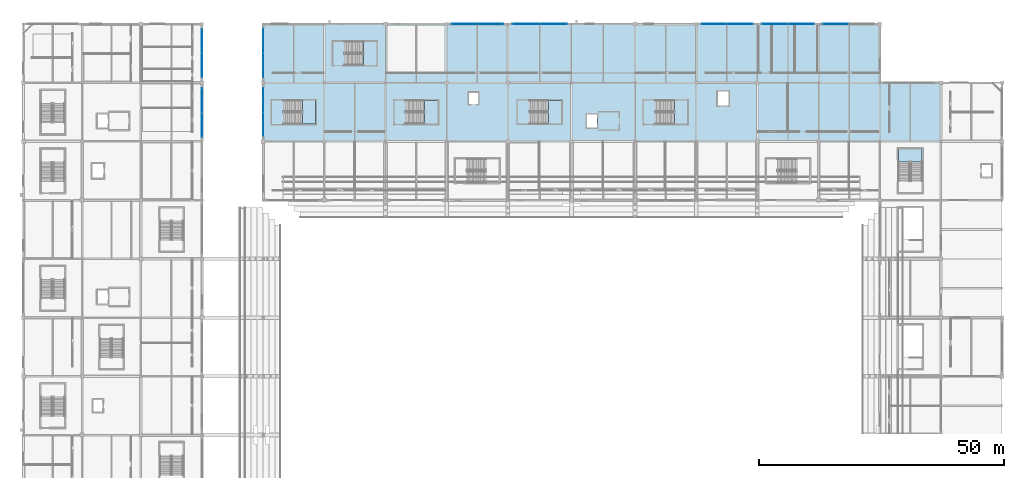
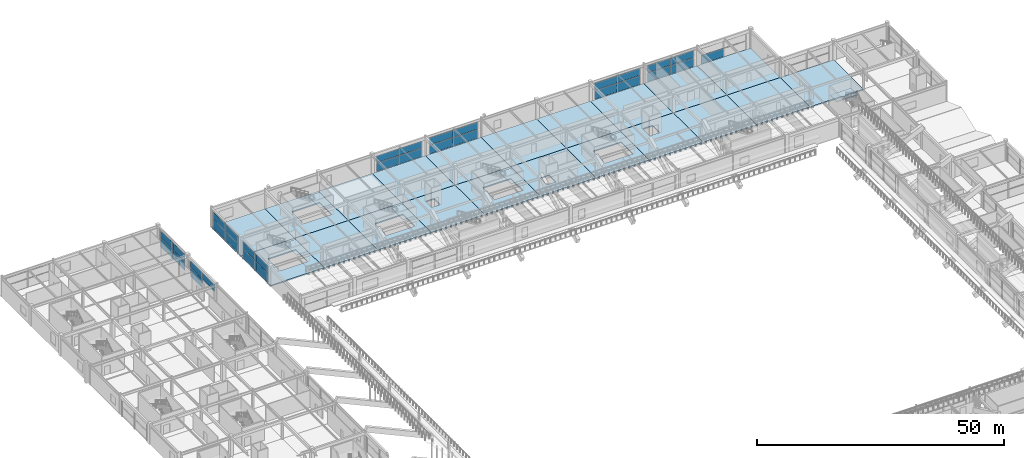
# One storey, part 74 of 128: 32 plates, 27 slabs, 15 elements without a shape of their own.
"""IFC4 building model written with IfcOpenShell, lengths in metres."""

from ifc_helpers import new_model, si_unit, direction, frame, origin, origin_2d, place, context, subcontext, project, spatial, polyline, rectangle, outline, extrude, material, layer, layer_set, type_object, element, aggregate, save


model = new_model("IFC4")

# Units and contexts
model_context = context("Model", 3, precision=1e-05, world=origin(), true_north=direction((0.0, 1.0)))
body_context = subcontext(model_context, "Body", "Model", "MODEL_VIEW")
ifc_project = project(units=[si_unit("LENGTHUNIT", "METRE"), si_unit("AREAUNIT", "SQUARE_METRE"), si_unit("VOLUMEUNIT", "CUBIC_METRE"), si_unit("PLANEANGLEUNIT", "RADIAN"), si_unit("MASSUNIT", "GRAM", prefix="KILO")], contexts=[model_context])

# Site, building, storey
site_placement = place(None, origin())
site = spatial("IfcSite", under=ifc_project, at=site_placement, CompositionType="ELEMENT")
building_placement = place(site_placement, origin())
building = spatial("IfcBuilding", under=site, at=building_placement, Name="Kazenohara Klinker Stadium", CompositionType="ELEMENT")
storey_placement = place(building_placement, frame((0.0, 0.0, 15.300048828125)))
storey = spatial("IfcBuildingStorey", under=building, at=storey_placement, Name="L03", CompositionType="ELEMENT", Elevation=15.300048828125)

# Curtain wall, plates
ifc_material_1 = material(Name="Anodised aluminium and triple glazing", Category="aluminium")
ifc_layer_1 = layer(ifc_material_1, 0.18994140625)
ifc_layer_set_1 = layer_set([ifc_layer_1], Name="Anodised aluminium and triple glazing")
curtain_wall_type_1 = type_object("IfcCurtainWallType", Name="CW-SYS-05", PredefinedType="USERDEFINED", material=ifc_layer_set_1)
curtain_wall_1_placement = place(storey_placement, origin())
curtain_wall_1 = element("IfcCurtainWall", 1, at=curtain_wall_1_placement, inside=storey, type_object=curtain_wall_type_1, Name="Unitised facade curtain wall CW05 L03 Y3-12", ObjectType="UNITISED CURTAIN WALL", PredefinedType="USERDEFINED")
ifc_material_2 = material(Name="Low-e laminated triple glazing", Category="glass")
ifc_layer_2 = layer(ifc_material_2, 0.0439453125)
ifc_layer_set_2 = layer_set([ifc_layer_2], Name="Low-e laminated triple glazing")
plate_type = type_object("IfcPlateType", Name="CW-PNL-44", PredefinedType="CURTAIN_PANEL", material=ifc_layer_set_2)
plate_1_placement = place(storey_placement, frame((36.5, 147.376953125, 2.2705078125), z_axis=(0.0, 0.0, 1.0), x_axis=(0.0, 1.0, 0.0)))
plate_1 = element("IfcPlate", 2, at=plate_1_placement, type_object=plate_type, Name="CW05 panel 1.2", PredefinedType="CURTAIN_PANEL", context=body_context, shape_type="SweptSolid", body=[
    extrude(rectangle(XDim=4.946044921875, YDim=0.0439453125, at=origin_2d()), origin(), (0.0, 0.0, 1.0), 1.714599609375),
])
plate_2_placement = place(storey_placement, frame((36.5, 152.39794921875, 0.074951171875), z_axis=(0.0, 0.0, 1.0), x_axis=(0.0, 1.0, 0.0)))
plate_2 = element("IfcPlate", 3, at=plate_2_placement, type_object=plate_type, Name="CW05 panel 2.1", PredefinedType="CURTAIN_PANEL", context=body_context, shape_type="SweptSolid", body=[
    extrude(rectangle(XDim=4.946044921875, YDim=0.0439453125, at=origin_2d()), origin(), (0.0, 0.0, 1.0), 2.12060546875),
])
plate_3_placement = place(storey_placement, frame((36.5, 152.39794921875, 2.2705078125), z_axis=(0.0, 0.0, 1.0), x_axis=(0.0, 1.0, 0.0)))
plate_3 = element("IfcPlate", 4, at=plate_3_placement, type_object=plate_type, Name="CW05 panel 2.2", PredefinedType="CURTAIN_PANEL", context=body_context, shape_type="SweptSolid", body=[
    extrude(rectangle(XDim=4.946044921875, YDim=0.0439453125, at=origin_2d()), origin(), (0.0, 0.0, 1.0), 1.714599609375),
])
aggregate(curtain_wall_1, [plate_1, plate_2, plate_3])

ifc_layer_3 = layer(ifc_material_1, 0.159912109375)
ifc_layer_set_3 = layer_set([ifc_layer_3], Name="Anodised aluminium and triple glazing")
curtain_wall_type_2 = type_object("IfcCurtainWallType", Name="CW-SYS-01", PredefinedType="USERDEFINED", material=ifc_layer_set_3)
curtain_wall_2_placement = place(storey_placement, origin())
curtain_wall_2 = element("IfcCurtainWall", 5, at=curtain_wall_2_placement, inside=storey, type_object=curtain_wall_type_2, Name="Unitised facade curtain wall CW01 L03 Y3-13", ObjectType="UNITISED CURTAIN WALL", PredefinedType="USERDEFINED")
plate_4_placement = place(storey_placement, frame((36.5, 159.558349609375, 0.07470703125), z_axis=(0.0, 0.0, 1.0), x_axis=(0.0, 1.0, 0.0)))
plate_4 = element("IfcPlate", 6, at=plate_4_placement, type_object=plate_type, Name="CW01 panel 1.1", PredefinedType="CURTAIN_PANEL", context=body_context, shape_type="SweptSolid", body=[
    extrude(rectangle(XDim=4.8583984375, YDim=0.0439453125, at=origin_2d()), origin(), (0.0, 0.0, 1.0), 2.175537109375),
])
plate_5_placement = place(storey_placement, frame((36.5, 159.558349609375, 2.32568359375), z_axis=(0.0, 0.0, 1.0), x_axis=(0.0, 1.0, 0.0)))
plate_5 = element("IfcPlate", 7, at=plate_5_placement, type_object=plate_type, Name="CW01 panel 1.2", PredefinedType="CURTAIN_PANEL", context=body_context, shape_type="SweptSolid", body=[
    extrude(rectangle(XDim=4.8583984375, YDim=0.0439453125, at=origin_2d()), origin(), (0.0, 0.0, 1.0), 1.759521484375),
])
plate_6_placement = place(storey_placement, frame((36.5, 164.49169921875, 0.07470703125), z_axis=(0.0, 0.0, 1.0), x_axis=(0.0, 1.0, 0.0)))
plate_6 = element("IfcPlate", 8, at=plate_6_placement, type_object=plate_type, Name="CW01 panel 2.1", PredefinedType="CURTAIN_PANEL", context=body_context, shape_type="SweptSolid", body=[
    extrude(rectangle(XDim=4.8583984375, YDim=0.0439453125, at=origin_2d()), origin(), (0.0, 0.0, 1.0), 2.175537109375),
])
plate_7_placement = place(storey_placement, frame((36.5, 164.49169921875, 2.32568359375), z_axis=(0.0, 0.0, 1.0), x_axis=(0.0, 1.0, 0.0)))
plate_7 = element("IfcPlate", 9, at=plate_7_placement, type_object=plate_type, Name="CW01 panel 2.2", PredefinedType="CURTAIN_PANEL", context=body_context, shape_type="SweptSolid", body=[
    extrude(rectangle(XDim=4.8583984375, YDim=0.0439453125, at=origin_2d()), origin(), (0.0, 0.0, 1.0), 1.759521484375),
])
aggregate(curtain_wall_2, [plate_4, plate_5, plate_6, plate_7])

curtain_wall_3_placement = place(storey_placement, origin())
curtain_wall_3 = element("IfcCurtainWall", 10, at=curtain_wall_3_placement, inside=storey, type_object=curtain_wall_type_1, Name="Unitised facade curtain wall CW05 L03 Y4-12", ObjectType="UNITISED CURTAIN WALL", PredefinedType="USERDEFINED")
plate_8_placement = place(storey_placement, frame((49.0, 147.558349609375, 0.07470703125), z_axis=(0.0, 0.0, 1.0), x_axis=(0.0, 1.0, 0.0)))
plate_8 = element("IfcPlate", 11, at=plate_8_placement, type_object=plate_type, Name="CW05 panel 1.1", PredefinedType="CURTAIN_PANEL", context=body_context, shape_type="SweptSolid", body=[
    extrude(rectangle(XDim=4.8583984375, YDim=0.0439453125, at=origin_2d()), origin(), (0.0, 0.0, 1.0), 2.175537109375),
])
plate_9_placement = place(storey_placement, frame((49.0, 147.558349609375, 2.32568359375), z_axis=(0.0, 0.0, 1.0), x_axis=(0.0, 1.0, 0.0)))
plate_9 = element("IfcPlate", 12, at=plate_9_placement, type_object=plate_type, Name="CW05 panel 1.2", PredefinedType="CURTAIN_PANEL", context=body_context, shape_type="SweptSolid", body=[
    extrude(rectangle(XDim=4.8583984375, YDim=0.0439453125, at=origin_2d()), origin(), (0.0, 0.0, 1.0), 1.759521484375),
])
plate_10_placement = place(storey_placement, frame((49.0, 152.49169921875, 0.07470703125), z_axis=(0.0, 0.0, 1.0), x_axis=(0.0, 1.0, 0.0)))
plate_10 = element("IfcPlate", 13, at=plate_10_placement, type_object=plate_type, Name="CW05 panel 2.1", PredefinedType="CURTAIN_PANEL", context=body_context, shape_type="SweptSolid", body=[
    extrude(rectangle(XDim=4.8583984375, YDim=0.0439453125, at=origin_2d()), origin(), (0.0, 0.0, 1.0), 2.175537109375),
])
plate_11_placement = place(storey_placement, frame((49.0, 152.49169921875, 2.32568359375), z_axis=(0.0, 0.0, 1.0), x_axis=(0.0, 1.0, 0.0)))
plate_11 = element("IfcPlate", 14, at=plate_11_placement, type_object=plate_type, Name="CW05 panel 2.2", PredefinedType="CURTAIN_PANEL", context=body_context, shape_type="SweptSolid", body=[
    extrude(rectangle(XDim=4.8583984375, YDim=0.0439453125, at=origin_2d()), origin(), (0.0, 0.0, 1.0), 1.759521484375),
])
aggregate(curtain_wall_3, [plate_8, plate_9, plate_10, plate_11])

curtain_wall_4_placement = place(storey_placement, origin())
curtain_wall_4 = element("IfcCurtainWall", 15, at=curtain_wall_4_placement, inside=storey, type_object=curtain_wall_type_2, Name="Unitised facade curtain wall CW01 L03 Y4-13", ObjectType="UNITISED CURTAIN WALL", PredefinedType="USERDEFINED")
plate_12_placement = place(storey_placement, frame((49.0, 159.558349609375, 0.074951171875), z_axis=(0.0, 0.0, 1.0), x_axis=(0.0, 1.0, 0.0)))
plate_12 = element("IfcPlate", 16, at=plate_12_placement, type_object=plate_type, Name="CW01 panel 1.1", PredefinedType="CURTAIN_PANEL", context=body_context, shape_type="SweptSolid", body=[
    extrude(rectangle(XDim=4.95849609375, YDim=0.0439453125, at=origin_2d()), origin(), (0.0, 0.0, 1.0), 2.18212890625),
])
plate_13_placement = place(storey_placement, frame((49.0, 159.558349609375, 2.33203125), z_axis=(0.0, 0.0, 1.0), x_axis=(0.0, 1.0, 0.0)))
plate_13 = element("IfcPlate", 17, at=plate_13_placement, type_object=plate_type, Name="CW01 panel 1.2", PredefinedType="CURTAIN_PANEL", context=body_context, shape_type="SweptSolid", body=[
    extrude(rectangle(XDim=4.95849609375, YDim=0.0439453125, at=origin_2d()), origin(), (0.0, 0.0, 1.0), 1.764892578125),
])
plate_14_placement = place(storey_placement, frame((49.0, 164.591796875, 0.074951171875), z_axis=(0.0, 0.0, 1.0), x_axis=(0.0, 1.0, 0.0)))
plate_14 = element("IfcPlate", 18, at=plate_14_placement, type_object=plate_type, Name="CW01 panel 2.1", PredefinedType="CURTAIN_PANEL", context=body_context, shape_type="SweptSolid", body=[
    extrude(rectangle(XDim=4.95849609375, YDim=0.0439453125, at=origin_2d()), origin(), (0.0, 0.0, 1.0), 2.18212890625),
])
plate_15_placement = place(storey_placement, frame((49.0, 164.591796875, 2.33203125), z_axis=(0.0, 0.0, 1.0), x_axis=(0.0, 1.0, 0.0)))
plate_15 = element("IfcPlate", 19, at=plate_15_placement, type_object=plate_type, Name="CW01 panel 2.2", PredefinedType="CURTAIN_PANEL", context=body_context, shape_type="SweptSolid", body=[
    extrude(rectangle(XDim=4.95849609375, YDim=0.0439453125, at=origin_2d()), origin(), (0.0, 0.0, 1.0), 1.764892578125),
])
aggregate(curtain_wall_4, [plate_12, plate_13, plate_14, plate_15])

ifc_layer_4 = layer(ifc_material_1, 0.179931640625)
ifc_layer_set_4 = layer_set([ifc_layer_4], Name="Anodised aluminium and triple glazing")
curtain_wall_type_3 = type_object("IfcCurtainWallType", Name="CW-SYS-02", PredefinedType="USERDEFINED", material=ifc_layer_set_4)
curtain_wall_5_placement = place(storey_placement, origin())
curtain_wall_5 = element("IfcCurtainWall", 20, at=curtain_wall_5_placement, inside=storey, type_object=curtain_wall_type_3, Name="Unitised facade curtain wall CW02 L03 X7-14", ObjectType="UNITISED CURTAIN WALL", PredefinedType="USERDEFINED")
plate_16_placement = place(storey_placement, frame((90.183349609375, 168.0, 0.074951171875), z_axis=(0.0, 0.0, 1.0), x_axis=(1.0, 0.0, 0.0)))
plate_16 = element("IfcPlate", 21, at=plate_16_placement, type_object=plate_type, Name="CW02 panel 1.1", PredefinedType="CURTAIN_PANEL", context=body_context, shape_type="SweptSolid", body=[
    extrude(rectangle(XDim=5.20849609375, YDim=0.0439453125, at=origin_2d()), origin(), (0.0, 0.0, 1.0), 2.12060546875),
])
plate_17_placement = place(storey_placement, frame((90.183349609375, 168.0, 2.2705078125), z_axis=(0.0, 0.0, 1.0), x_axis=(1.0, 0.0, 0.0)))
plate_17 = element("IfcPlate", 22, at=plate_17_placement, type_object=plate_type, Name="CW02 panel 1.2", PredefinedType="CURTAIN_PANEL", context=body_context, shape_type="SweptSolid", body=[
    extrude(rectangle(XDim=5.20849609375, YDim=0.0439453125, at=origin_2d()), origin(), (0.0, 0.0, 1.0), 1.714599609375),
])
plate_18_placement = place(storey_placement, frame((95.466796875, 168.0, 0.074951171875), z_axis=(0.0, 0.0, 1.0), x_axis=(1.0, 0.0, 0.0)))
plate_18 = element("IfcPlate", 23, at=plate_18_placement, type_object=plate_type, Name="CW02 panel 2.1", PredefinedType="CURTAIN_PANEL", context=body_context, shape_type="SweptSolid", body=[
    extrude(rectangle(XDim=5.20849609375, YDim=0.0439453125, at=origin_2d()), origin(), (0.0, 0.0, 1.0), 2.12060546875),
])
plate_19_placement = place(storey_placement, frame((95.466796875, 168.0, 2.2705078125), z_axis=(0.0, 0.0, 1.0), x_axis=(1.0, 0.0, 0.0)))
plate_19 = element("IfcPlate", 24, at=plate_19_placement, type_object=plate_type, Name="CW02 panel 2.2", PredefinedType="CURTAIN_PANEL", context=body_context, shape_type="SweptSolid", body=[
    extrude(rectangle(XDim=5.20849609375, YDim=0.0439453125, at=origin_2d()), origin(), (0.0, 0.0, 1.0), 1.714599609375),
])
aggregate(curtain_wall_5, [plate_16, plate_17, plate_18, plate_19])

ifc_layer_5 = layer(ifc_material_1, 0.169921875)
ifc_layer_set_5 = layer_set([ifc_layer_5], Name="Anodised aluminium and triple glazing")
curtain_wall_type_4 = type_object("IfcCurtainWallType", Name="CW-SYS-04", PredefinedType="USERDEFINED", material=ifc_layer_set_5)
curtain_wall_6_placement = place(storey_placement, origin())
curtain_wall_6 = element("IfcCurtainWall", 25, at=curtain_wall_6_placement, inside=storey, type_object=curtain_wall_type_4, Name="Unitised facade curtain wall CW04 L03 X8-14", ObjectType="UNITISED CURTAIN WALL", PredefinedType="USERDEFINED")
plate_20_placement = place(storey_placement, frame((102.701904296875, 168.0, 0.07470703125), z_axis=(0.0, 0.0, 1.0), x_axis=(1.0, 0.0, 0.0)))
plate_20 = element("IfcPlate", 26, at=plate_20_placement, type_object=plate_type, Name="CW04 panel 1.1", PredefinedType="CURTAIN_PANEL", context=body_context, shape_type="SweptSolid", body=[
    extrude(rectangle(XDim=5.5458984375, YDim=0.0439453125, at=origin_2d()), origin(), (0.0, 0.0, 1.0), 2.175537109375),
])
plate_21_placement = place(storey_placement, frame((102.701904296875, 168.0, 2.32568359375), z_axis=(0.0, 0.0, 1.0), x_axis=(1.0, 0.0, 0.0)))
plate_21 = element("IfcPlate", 27, at=plate_21_placement, type_object=plate_type, Name="CW04 panel 1.2", PredefinedType="CURTAIN_PANEL", context=body_context, shape_type="SweptSolid", body=[
    extrude(rectangle(XDim=5.5458984375, YDim=0.0439453125, at=origin_2d()), origin(), (0.0, 0.0, 1.0), 1.759521484375),
])
plate_22_placement = place(storey_placement, frame((108.322998046875, 168.0, 0.07470703125), z_axis=(0.0, 0.0, 1.0), x_axis=(1.0, 0.0, 0.0)))
plate_22 = element("IfcPlate", 28, at=plate_22_placement, type_object=plate_type, Name="CW04 panel 2.1", PredefinedType="CURTAIN_PANEL", context=body_context, shape_type="SweptSolid", body=[
    extrude(rectangle(XDim=5.5458984375, YDim=0.0439453125, at=origin_2d()), origin(), (0.0, 0.0, 1.0), 2.175537109375),
])
plate_23_placement = place(storey_placement, frame((108.322998046875, 168.0, 2.32568359375), z_axis=(0.0, 0.0, 1.0), x_axis=(1.0, 0.0, 0.0)))
plate_23 = element("IfcPlate", 29, at=plate_23_placement, type_object=plate_type, Name="CW04 panel 2.2", PredefinedType="CURTAIN_PANEL", context=body_context, shape_type="SweptSolid", body=[
    extrude(rectangle(XDim=5.5458984375, YDim=0.0439453125, at=origin_2d()), origin(), (0.0, 0.0, 1.0), 1.759521484375),
])
aggregate(curtain_wall_6, [plate_20, plate_21, plate_22, plate_23])

curtain_wall_7_placement = place(storey_placement, origin())
curtain_wall_7 = element("IfcCurtainWall", 30, at=curtain_wall_7_placement, inside=storey, type_object=curtain_wall_type_1, Name="Unitised facade curtain wall CW05 L03 X11-14", ObjectType="UNITISED CURTAIN WALL", PredefinedType="USERDEFINED")
plate_24_placement = place(storey_placement, frame((141.183349609375, 168.0, 0.07470703125), z_axis=(0.0, 0.0, 1.0), x_axis=(1.0, 0.0, 0.0)))
plate_24 = element("IfcPlate", 31, at=plate_24_placement, type_object=plate_type, Name="CW05 panel 1.1", PredefinedType="CURTAIN_PANEL", context=body_context, shape_type="SweptSolid", body=[
    extrude(rectangle(XDim=5.20849609375, YDim=0.0439453125, at=origin_2d()), origin(), (0.0, 0.0, 1.0), 2.175537109375),
])
plate_25_placement = place(storey_placement, frame((141.183349609375, 168.0, 2.32568359375), z_axis=(0.0, 0.0, 1.0), x_axis=(1.0, 0.0, 0.0)))
plate_25 = element("IfcPlate", 32, at=plate_25_placement, type_object=plate_type, Name="CW05 panel 1.2", PredefinedType="CURTAIN_PANEL", context=body_context, shape_type="SweptSolid", body=[
    extrude(rectangle(XDim=5.20849609375, YDim=0.0439453125, at=origin_2d()), origin(), (0.0, 0.0, 1.0), 1.759521484375),
])
plate_26_placement = place(storey_placement, frame((146.466796875, 168.0, 0.07470703125), z_axis=(0.0, 0.0, 1.0), x_axis=(1.0, 0.0, 0.0)))
plate_26 = element("IfcPlate", 33, at=plate_26_placement, type_object=plate_type, Name="CW05 panel 2.1", PredefinedType="CURTAIN_PANEL", context=body_context, shape_type="SweptSolid", body=[
    extrude(rectangle(XDim=5.20849609375, YDim=0.0439453125, at=origin_2d()), origin(), (0.0, 0.0, 1.0), 2.175537109375),
])
plate_27_placement = place(storey_placement, frame((146.466796875, 168.0, 2.32568359375), z_axis=(0.0, 0.0, 1.0), x_axis=(1.0, 0.0, 0.0)))
plate_27 = element("IfcPlate", 34, at=plate_27_placement, type_object=plate_type, Name="CW05 panel 2.2", PredefinedType="CURTAIN_PANEL", context=body_context, shape_type="SweptSolid", body=[
    extrude(rectangle(XDim=5.20849609375, YDim=0.0439453125, at=origin_2d()), origin(), (0.0, 0.0, 1.0), 1.759521484375),
])
aggregate(curtain_wall_7, [plate_24, plate_25, plate_26, plate_27])

curtain_wall_8_placement = place(storey_placement, origin())
curtain_wall_8 = element("IfcCurtainWall", 35, at=curtain_wall_8_placement, inside=storey, type_object=curtain_wall_type_3, Name="Unitised facade curtain wall CW02 L03 X12-14", ObjectType="UNITISED CURTAIN WALL", PredefinedType="USERDEFINED")
plate_28_placement = place(storey_placement, frame((153.576904296875, 168.0, 0.074951171875), z_axis=(0.0, 0.0, 1.0), x_axis=(1.0, 0.0, 0.0)))
plate_28 = element("IfcPlate", 36, at=plate_28_placement, type_object=plate_type, Name="CW02 panel 1.1", PredefinedType="CURTAIN_PANEL", context=body_context, shape_type="SweptSolid", body=[
    extrude(rectangle(XDim=5.2958984375, YDim=0.0439453125, at=origin_2d()), origin(), (0.0, 0.0, 1.0), 2.18212890625),
])
plate_29_placement = place(storey_placement, frame((153.576904296875, 168.0, 2.33203125), z_axis=(0.0, 0.0, 1.0), x_axis=(1.0, 0.0, 0.0)))
plate_29 = element("IfcPlate", 37, at=plate_29_placement, type_object=plate_type, Name="CW02 panel 1.2", PredefinedType="CURTAIN_PANEL", context=body_context, shape_type="SweptSolid", body=[
    extrude(rectangle(XDim=5.2958984375, YDim=0.0439453125, at=origin_2d()), origin(), (0.0, 0.0, 1.0), 1.764892578125),
])
plate_30_placement = place(storey_placement, frame((158.947998046875, 168.0, 0.074951171875), z_axis=(0.0, 0.0, 1.0), x_axis=(1.0, 0.0, 0.0)))
plate_30 = element("IfcPlate", 38, at=plate_30_placement, type_object=plate_type, Name="CW02 panel 2.1", PredefinedType="CURTAIN_PANEL", context=body_context, shape_type="SweptSolid", body=[
    extrude(rectangle(XDim=5.2958984375, YDim=0.0439453125, at=origin_2d()), origin(), (0.0, 0.0, 1.0), 2.18212890625),
])
plate_31_placement = place(storey_placement, frame((158.947998046875, 168.0, 2.33203125), z_axis=(0.0, 0.0, 1.0), x_axis=(1.0, 0.0, 0.0)))
plate_31 = element("IfcPlate", 39, at=plate_31_placement, type_object=plate_type, Name="CW02 panel 2.2", PredefinedType="CURTAIN_PANEL", context=body_context, shape_type="SweptSolid", body=[
    extrude(rectangle(XDim=5.2958984375, YDim=0.0439453125, at=origin_2d()), origin(), (0.0, 0.0, 1.0), 1.764892578125),
])
aggregate(curtain_wall_8, [plate_28, plate_29, plate_30, plate_31])

# Curtain wall, plate
curtain_wall_9_placement = place(storey_placement, origin())
curtain_wall_9 = element("IfcCurtainWall", 40, at=curtain_wall_9_placement, inside=storey, type_object=curtain_wall_type_4, Name="Unitised facade curtain wall CW04 L03 X13-14", ObjectType="UNITISED CURTAIN WALL", PredefinedType="USERDEFINED")
plate_32_placement = place(storey_placement, frame((166.001953125, 168.0, 0.074951171875), z_axis=(0.0, 0.0, 1.0), x_axis=(1.0, 0.0, 0.0)))
plate_32 = element("IfcPlate", 41, at=plate_32_placement, type_object=plate_type, Name="CW04 panel 1.1", PredefinedType="CURTAIN_PANEL", context=body_context, shape_type="SweptSolid", body=[
    extrude(rectangle(XDim=5.196044921875, YDim=0.0439453125, at=origin_2d()), origin(), (0.0, 0.0, 1.0), 2.12060546875),
])
aggregate(curtain_wall_9, [plate_32])

# Slabs
ifc_material_3 = material(Name="Concrete C40/50", Category="concrete")
ifc_layer_6 = layer(ifc_material_3, 0.280029296875)
ifc_layer_set_6 = layer_set([ifc_layer_6], Name="Concrete C40/50")
slab_type_1 = type_object("IfcSlabType", Name="SLB-FLR-280", PredefinedType="FLOOR", material=ifc_layer_set_6)
slab_1_placement = place(storey_placement, frame((0.0, 0.0, -0.280029296875)))
element("IfcSlab", 42, at=slab_1_placement, inside=storey, type_object=slab_type_1, Name="Floor slab FS04 L03 5/N", PredefinedType="FLOOR", context=body_context, shape_type="SweptSolid", body=[
    extrude(outline(polyline([(49.0, 144.0), (61.5, 144.0), (61.5, 156.0), (49.0, 156.0), (49.0, 144.0)]), holes=[polyline([(53.2099609375, 147.56005859375), (59.7099609375, 147.56005859375), (59.7099609375, 152.43994140625), (53.2099609375, 152.43994140625), (53.2099609375, 147.56005859375)])]), origin(), (0.0, 0.0, 1.0), 0.280029296875),
])
slab_2_placement = place(storey_placement, frame((0.0, 0.0, -0.280029296875)))
element("IfcSlab", 43, at=slab_2_placement, inside=storey, type_object=slab_type_1, Name="Floor slab FS04 L03 5/P", PredefinedType="FLOOR", context=body_context, shape_type="SweptSolid", body=[
    extrude(outline(polyline([(49.0, 156.0), (61.5, 156.0), (61.5, 168.0), (49.0, 168.0), (49.0, 156.0)])), origin(), (0.0, 0.0, 1.0), 0.280029296875),
])
slab_3_placement = place(storey_placement, frame((0.0, 0.0, -0.280029296875)))
element("IfcSlab", 44, at=slab_3_placement, inside=storey, type_object=slab_type_1, Name="Floor slab FS04 L03 6/N", PredefinedType="FLOOR", context=body_context, shape_type="SweptSolid", body=[
    extrude(outline(polyline([(61.5, 144.0), (74.0, 144.0), (74.0, 156.0), (61.5, 156.0), (61.5, 144.0)])), origin(), (0.0, 0.0, 1.0), 0.280029296875),
])
slab_4_placement = place(storey_placement, frame((0.0, 0.0, -0.280029296875)))
element("IfcSlab", 45, at=slab_4_placement, inside=storey, type_object=slab_type_1, Name="Floor slab FS04 L03 6/P", PredefinedType="FLOOR", context=body_context, shape_type="SweptSolid", body=[
    extrude(outline(polyline([(61.5, 156.0), (74.0, 156.0), (74.0, 168.0), (61.5, 168.0), (61.5, 156.0)]), holes=[polyline([(65.699951171875, 159.570068359375), (72.2099609375, 159.570068359375), (72.2099609375, 164.429931640625), (65.699951171875, 164.429931640625), (65.699951171875, 159.570068359375)])]), origin(), (0.0, 0.0, 1.0), 0.280029296875),
])
slab_5_placement = place(storey_placement, frame((0.0, 0.0, -0.280029296875)))
element("IfcSlab", 46, at=slab_5_placement, inside=storey, type_object=slab_type_1, Name="Floor slab FS04 L03 7/N", PredefinedType="FLOOR", context=body_context, shape_type="SweptSolid", body=[
    extrude(outline(polyline([(74.0, 144.0), (86.5, 144.0), (86.5, 156.0), (74.0, 156.0), (74.0, 144.0)]), holes=[polyline([(78.169921875, 147.60009765625), (84.7099609375, 147.60009765625), (84.7099609375, 152.39990234375), (78.169921875, 152.39990234375), (78.169921875, 147.60009765625)])]), origin(), (0.0, 0.0, 1.0), 0.280029296875),
])
slab_6_placement = place(storey_placement, frame((0.0, 0.0, -0.280029296875)))
element("IfcSlab", 47, at=slab_6_placement, inside=storey, type_object=slab_type_1, Name="Floor slab FS04 L03 7/P", PredefinedType="FLOOR", context=body_context, shape_type="SweptSolid", body=[
    extrude(outline(polyline([(74.0, 156.0), (86.5, 156.0), (86.5, 168.0), (74.0, 168.0), (74.0, 156.0)])), origin(), (0.0, 0.0, 1.0), 0.280029296875),
])
slab_7_placement = place(storey_placement, frame((0.0, 0.0, -0.280029296875)))
element("IfcSlab", 48, at=slab_7_placement, inside=storey, type_object=slab_type_1, Name="Floor slab FS04 L03 8/N", PredefinedType="FLOOR", context=body_context, shape_type="SweptSolid", body=[
    extrude(outline(polyline([(86.5, 144.0), (99.0, 144.0), (99.0, 156.0), (86.5, 156.0), (86.5, 144.0)]), holes=[polyline([(91.050048828125, 151.60009765625), (92.949951171875, 151.60009765625), (92.949951171875, 154.0), (91.050048828125, 154.0), (91.050048828125, 151.60009765625)])]), origin(), (0.0, 0.0, 1.0), 0.280029296875),
])
slab_8_placement = place(storey_placement, frame((0.0, 0.0, -0.280029296875)))
element("IfcSlab", 49, at=slab_8_placement, inside=storey, type_object=slab_type_1, Name="Floor slab FS04 L03 8/P", PredefinedType="FLOOR", context=body_context, shape_type="SweptSolid", body=[
    extrude(outline(polyline([(86.5, 156.0), (99.0, 156.0), (99.0, 168.0), (86.5, 168.0), (86.5, 156.0)])), origin(), (0.0, 0.0, 1.0), 0.280029296875),
])
slab_9_placement = place(storey_placement, frame((0.0, 0.0, -0.280029296875)))
element("IfcSlab", 50, at=slab_9_placement, inside=storey, type_object=slab_type_1, Name="Floor slab FS04 L03 9/N", PredefinedType="FLOOR", context=body_context, shape_type="SweptSolid", body=[
    extrude(outline(polyline([(99.0, 144.0), (112.0, 144.0), (112.0, 156.0), (99.0, 156.0), (99.0, 144.0)]), holes=[polyline([(103.429931640625, 147.590087890625), (109.9599609375, 147.590087890625), (109.9599609375, 152.409912109375), (103.429931640625, 152.409912109375), (103.429931640625, 147.590087890625)])]), origin(), (0.0, 0.0, 1.0), 0.280029296875),
])
slab_10_placement = place(storey_placement, frame((0.0, 0.0, -0.280029296875)))
element("IfcSlab", 51, at=slab_10_placement, inside=storey, type_object=slab_type_1, Name="Floor slab FS04 L03 9/P", PredefinedType="FLOOR", context=body_context, shape_type="SweptSolid", body=[
    extrude(outline(polyline([(99.0, 156.0), (112.0, 156.0), (112.0, 168.0), (99.0, 168.0), (99.0, 156.0)])), origin(), (0.0, 0.0, 1.0), 0.280029296875),
])
slab_11_placement = place(storey_placement, frame((0.0, 0.0, -0.280029296875)))
element("IfcSlab", 52, at=slab_11_placement, inside=storey, type_object=slab_type_1, Name="Floor slab FS04 L03 10/N", PredefinedType="FLOOR", context=body_context, shape_type="SweptSolid", body=[
    extrude(outline(polyline([(112.0, 144.0), (125.0, 144.0), (125.0, 156.0), (112.0, 156.0), (112.0, 144.0)]), holes=[polyline([(115.14990234375, 146.85009765625), (117.25, 146.85009765625), (117.25, 149.550048828125), (115.14990234375, 149.550048828125), (115.14990234375, 146.85009765625)])]), origin(), (0.0, 0.0, 1.0), 0.280029296875),
])
slab_12_placement = place(storey_placement, frame((0.0, 0.0, -0.280029296875)))
element("IfcSlab", 53, at=slab_12_placement, inside=storey, type_object=slab_type_1, Name="Floor slab FS04 L03 10/P", PredefinedType="FLOOR", context=body_context, shape_type="SweptSolid", body=[
    extrude(outline(polyline([(112.0, 156.0), (125.0, 156.0), (125.0, 168.0), (112.0, 168.0), (112.0, 156.0)])), origin(), (0.0, 0.0, 1.0), 0.280029296875),
])
slab_13_placement = place(storey_placement, frame((0.0, 0.0, -0.280029296875)))
element("IfcSlab", 54, at=slab_13_placement, inside=storey, type_object=slab_type_1, Name="Floor slab FS04 L03 11/N", PredefinedType="FLOOR", context=body_context, shape_type="SweptSolid", body=[
    extrude(outline(polyline([(125.0, 144.0), (137.5, 144.0), (137.5, 156.0), (125.0, 156.0), (125.0, 144.0)]), holes=[polyline([(129.199951171875, 147.570068359375), (135.7099609375, 147.570068359375), (135.7099609375, 152.429931640625), (129.199951171875, 152.429931640625), (129.199951171875, 147.570068359375)])]), origin(), (0.0, 0.0, 1.0), 0.280029296875),
])
slab_14_placement = place(storey_placement, frame((0.0, 0.0, -0.280029296875)))
element("IfcSlab", 55, at=slab_14_placement, inside=storey, type_object=slab_type_1, Name="Floor slab FS04 L03 11/P", PredefinedType="FLOOR", context=body_context, shape_type="SweptSolid", body=[
    extrude(outline(polyline([(125.0, 156.0), (137.5, 156.0), (137.5, 168.0), (125.0, 168.0), (125.0, 156.0)])), origin(), (0.0, 0.0, 1.0), 0.280029296875),
])
slab_15_placement = place(storey_placement, frame((0.0, 0.0, -0.280029296875)))
element("IfcSlab", 56, at=slab_15_placement, inside=storey, type_object=slab_type_1, Name="Floor slab FS04 L03 12/N", PredefinedType="FLOOR", context=body_context, shape_type="SweptSolid", body=[
    extrude(outline(polyline([(137.5, 144.0), (150.0, 144.0), (150.0, 156.0), (137.5, 156.0), (137.5, 144.0)]), holes=[polyline([(141.85009765625, 151.35009765625), (144.14990234375, 151.35009765625), (144.14990234375, 154.25), (141.85009765625, 154.25), (141.85009765625, 151.35009765625)])]), origin(), (0.0, 0.0, 1.0), 0.280029296875),
])
slab_16_placement = place(storey_placement, frame((0.0, 0.0, -0.280029296875)))
element("IfcSlab", 57, at=slab_16_placement, inside=storey, type_object=slab_type_1, Name="Floor slab FS04 L03 12/P", PredefinedType="FLOOR", context=body_context, shape_type="SweptSolid", body=[
    extrude(outline(polyline([(137.5, 156.0), (150.0, 156.0), (150.0, 168.0), (137.5, 168.0), (137.5, 156.0)])), origin(), (0.0, 0.0, 1.0), 0.280029296875),
])
slab_17_placement = place(storey_placement, frame((0.0, 0.0, -0.280029296875)))
element("IfcSlab", 58, at=slab_17_placement, inside=storey, type_object=slab_type_1, Name="Floor slab FS04 L03 13/N", PredefinedType="FLOOR", context=body_context, shape_type="SweptSolid", body=[
    extrude(outline(polyline([(150.0, 144.0), (162.5, 144.0), (162.5, 156.0), (150.0, 156.0), (150.0, 144.0)])), origin(), (0.0, 0.0, 1.0), 0.280029296875),
])
slab_18_placement = place(storey_placement, frame((0.0, 0.0, -0.280029296875)))
element("IfcSlab", 59, at=slab_18_placement, inside=storey, type_object=slab_type_1, Name="Floor slab FS04 L03 13/P", PredefinedType="FLOOR", context=body_context, shape_type="SweptSolid", body=[
    extrude(outline(polyline([(150.0, 156.0), (162.5, 156.0), (162.5, 168.0), (150.0, 168.0), (150.0, 156.0)])), origin(), (0.0, 0.0, 1.0), 0.280029296875),
])
slab_19_placement = place(storey_placement, frame((0.0, 0.0, -0.280029296875)))
element("IfcSlab", 60, at=slab_19_placement, inside=storey, type_object=slab_type_1, Name="Floor slab FS04 L03 14/N", PredefinedType="FLOOR", context=body_context, shape_type="SweptSolid", body=[
    extrude(outline(polyline([(162.5, 144.0), (175.0, 144.0), (175.0, 156.0), (162.5, 156.0), (162.5, 144.0)])), origin(), (0.0, 0.0, 1.0), 0.280029296875),
])
slab_20_placement = place(storey_placement, frame((0.0, 0.0, -0.280029296875)))
element("IfcSlab", 61, at=slab_20_placement, inside=storey, type_object=slab_type_1, Name="Floor slab FS04 L03 14/P", PredefinedType="FLOOR", context=body_context, shape_type="SweptSolid", body=[
    extrude(outline(polyline([(162.5, 156.0), (175.0, 156.0), (175.0, 168.0), (162.5, 168.0), (162.5, 156.0)])), origin(), (0.0, 0.0, 1.0), 0.280029296875),
])
slab_21_placement = place(storey_placement, frame((0.0, 0.0, -0.280029296875)))
element("IfcSlab", 62, at=slab_21_placement, inside=storey, type_object=slab_type_1, Name="Floor slab FS04 L03 15/N", PredefinedType="FLOOR", context=body_context, shape_type="SweptSolid", body=[
    extrude(outline(polyline([(175.0, 144.0), (187.5, 144.0), (187.5, 156.0), (175.0, 156.0), (175.0, 144.0)])), origin(), (0.0, 0.0, 1.0), 0.280029296875),
])

# Stair, slab
stair_type_1 = type_object("IfcStairType", Name="STR-DL-2340", PredefinedType="HALF_TURN_STAIR", material=ifc_material_3)
stair_1_placement = place(storey_placement, origin())
stair_1 = element("IfcStair", 63, at=stair_1_placement, inside=storey, type_object=stair_type_1, Name="L03 Enclosed escape stair ST08", PredefinedType="HALF_TURN_STAIR")
ifc_layer_7 = layer(ifc_material_3, 0.199951171875)
ifc_layer_set_7 = layer_set([ifc_layer_7], Name="Concrete C40/50")
slab_type_2 = type_object("IfcSlabType", Name="SLB-LND-200", PredefinedType="LANDING", material=ifc_layer_set_7)
slab_22_placement = place(storey_placement, frame((0.0, 0.0, 2.349853515625)))
slab_22 = element("IfcSlab", 64, at=slab_22_placement, type_object=slab_type_2, Name="ST08 landing 1", PredefinedType="LANDING", context=body_context, shape_type="SweptSolid", body=[
    extrude(outline(polyline([(57.050048828125, 147.56005859375), (59.7099609375, 147.56005859375), (59.7099609375, 152.43994140625), (57.050048828125, 152.43994140625), (57.050048828125, 147.56005859375)])), origin(), (0.0, 0.0, 1.0), 0.2001953125),
])
aggregate(stair_1, [slab_22])

stair_type_2 = type_object("IfcStairType", Name="STR-DL-2300", PredefinedType="HALF_TURN_STAIR", material=ifc_material_3)
stair_2_placement = place(storey_placement, origin())
stair_2 = element("IfcStair", 65, at=stair_2_placement, inside=storey, type_object=stair_type_2, Name="L03 Enclosed escape stair ST09", PredefinedType="HALF_TURN_STAIR")
slab_23_placement = place(storey_placement, frame((0.0, 0.0, 2.349853515625)))
slab_23 = element("IfcSlab", 66, at=slab_23_placement, type_object=slab_type_2, Name="ST09 landing 1", PredefinedType="LANDING", context=body_context, shape_type="SweptSolid", body=[
    extrude(outline(polyline([(82.010009765625, 147.60009765625), (84.7099609375, 147.60009765625), (84.7099609375, 152.39990234375), (82.010009765625, 152.39990234375), (82.010009765625, 147.60009765625)])), origin(), (0.0, 0.0, 1.0), 0.2001953125),
])
aggregate(stair_2, [slab_23])

stair_type_3 = type_object("IfcStairType", Name="STR-DL-2310", PredefinedType="HALF_TURN_STAIR", material=ifc_material_3)
stair_3_placement = place(storey_placement, origin())
stair_3 = element("IfcStair", 67, at=stair_3_placement, inside=storey, type_object=stair_type_3, Name="L03 Enclosed escape stair ST10", PredefinedType="HALF_TURN_STAIR")
slab_24_placement = place(storey_placement, frame((0.0, 0.0, 2.349853515625)))
slab_24 = element("IfcSlab", 68, at=slab_24_placement, type_object=slab_type_2, Name="ST10 landing 1", PredefinedType="LANDING", context=body_context, shape_type="SweptSolid", body=[
    extrude(outline(polyline([(107.27001953125, 147.590087890625), (109.9599609375, 147.590087890625), (109.9599609375, 152.409912109375), (107.27001953125, 152.409912109375), (107.27001953125, 147.590087890625)])), origin(), (0.0, 0.0, 1.0), 0.2001953125),
])
aggregate(stair_3, [slab_24])

stair_type_4 = type_object("IfcStairType", Name="STR-DL-2330", PredefinedType="HALF_TURN_STAIR", material=ifc_material_3)
stair_4_placement = place(storey_placement, origin())
stair_4 = element("IfcStair", 69, at=stair_4_placement, inside=storey, type_object=stair_type_4, Name="L03 Enclosed escape stair ST11", PredefinedType="HALF_TURN_STAIR")
slab_25_placement = place(storey_placement, frame((0.0, 0.0, 2.349853515625)))
slab_25 = element("IfcSlab", 70, at=slab_25_placement, type_object=slab_type_2, Name="ST11 landing 1", PredefinedType="LANDING", context=body_context, shape_type="SweptSolid", body=[
    extrude(outline(polyline([(133.0400390625, 147.570068359375), (135.7099609375, 147.570068359375), (135.7099609375, 152.429931640625), (133.0400390625, 152.429931640625), (133.0400390625, 147.570068359375)])), origin(), (0.0, 0.0, 1.0), 0.2001953125),
])
aggregate(stair_4, [slab_25])

stair_5_placement = place(storey_placement, origin())
stair_5 = element("IfcStair", 71, at=stair_5_placement, inside=storey, type_object=stair_type_1, Name="L03 Enclosed escape stair ST12", PredefinedType="HALF_TURN_STAIR")
slab_26_placement = place(storey_placement, frame((0.0, 0.0, 2.349853515625)))
slab_26 = element("IfcSlab", 72, at=slab_26_placement, type_object=slab_type_2, Name="ST12 landing 1", PredefinedType="LANDING", context=body_context, shape_type="SweptSolid", body=[
    extrude(outline(polyline([(183.68994140625, 139.800048828125), (183.68994140625, 142.4599609375), (178.81005859375, 142.4599609375), (178.81005859375, 139.800048828125), (183.68994140625, 139.800048828125)])), origin(), (0.0, 0.0, 1.0), 0.2001953125),
])
aggregate(stair_5, [slab_26])

stair_6_placement = place(storey_placement, origin())
stair_6 = element("IfcStair", 73, at=stair_6_placement, inside=storey, type_object=stair_type_4, Name="L03 Enclosed escape stair ST15", PredefinedType="HALF_TURN_STAIR")
slab_27_placement = place(storey_placement, frame((0.0, 0.0, 2.349853515625)))
slab_27 = element("IfcSlab", 74, at=slab_27_placement, type_object=slab_type_2, Name="ST15 landing 1", PredefinedType="LANDING", context=body_context, shape_type="SweptSolid", body=[
    extrude(outline(polyline([(69.5400390625, 159.570068359375), (72.2099609375, 159.570068359375), (72.2099609375, 164.429931640625), (69.5400390625, 164.429931640625), (69.5400390625, 159.570068359375)])), origin(), (0.0, 0.0, 1.0), 0.2001953125),
])
aggregate(stair_6, [slab_27])

save(model, "model.ifc")
